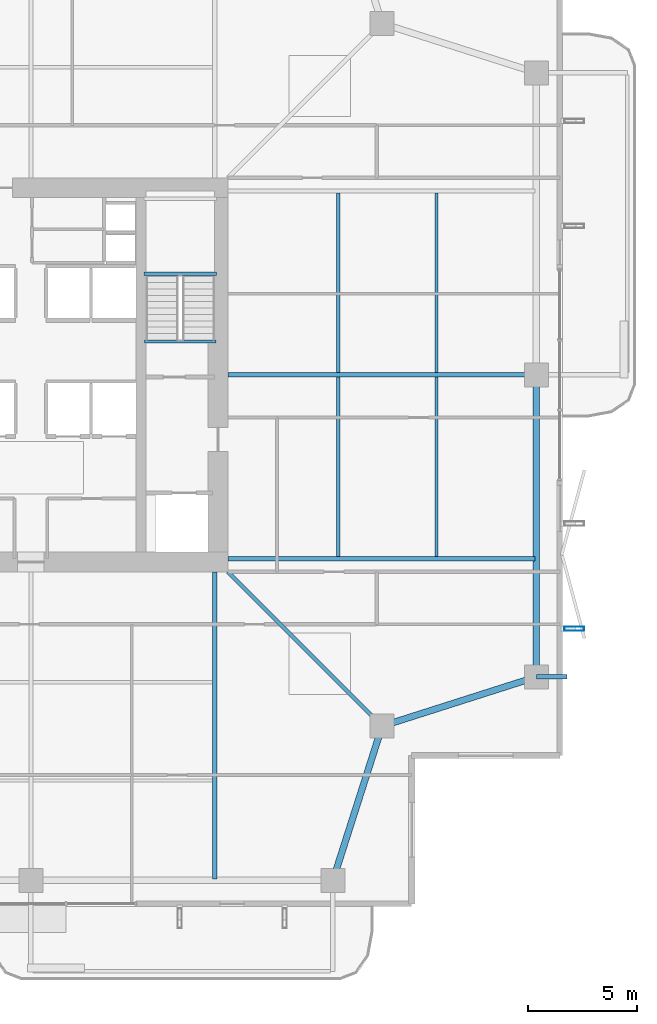
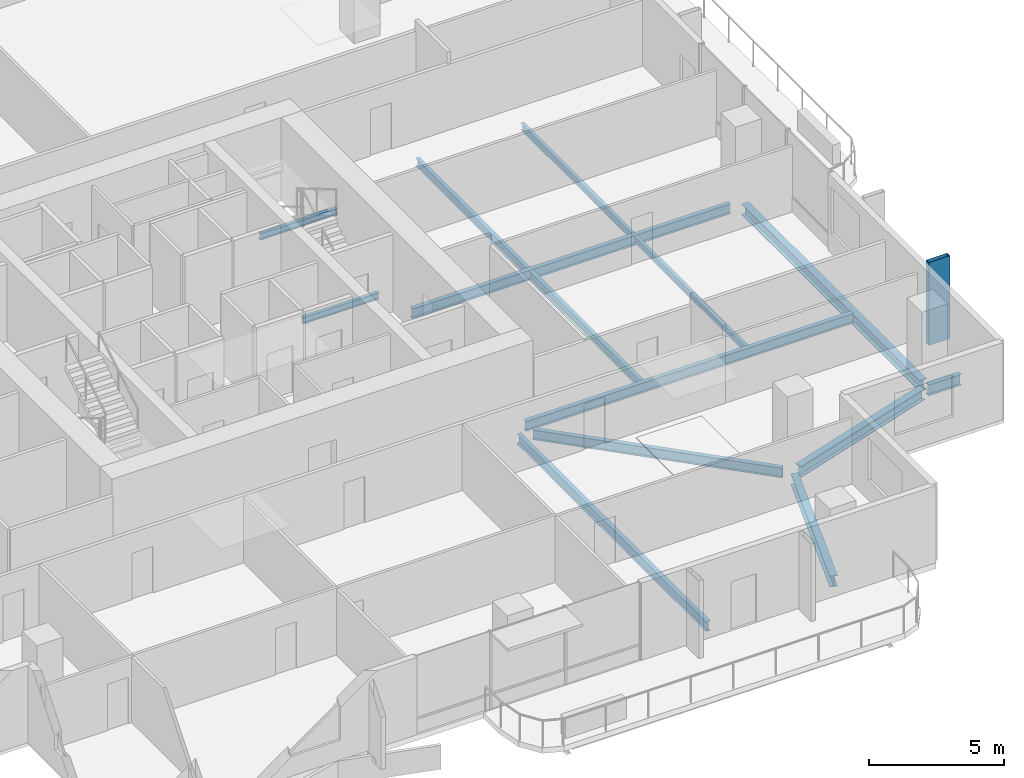
# One storey, part 9 of 25: 14 beams, 1 member.
"""IFC4 building model written with IfcOpenShell, lengths in metres."""

from ifc_helpers import new_model, si_unit, direction, frame, origin, origin_2d, place, context, subcontext, project, spatial, hollow_rectangle, i_section, extrude, material, material_profile, profile_set, type_object, element, save


model = new_model("IFC4")

# Units and contexts
model_context = context("Model", 3, precision=1e-05, world=origin(), true_north=direction((0.0, 1.0)))
body_context = subcontext(model_context, "Body", "Model", "MODEL_VIEW")
ifc_project = project(units=[si_unit("LENGTHUNIT", "METRE"), si_unit("AREAUNIT", "SQUARE_METRE"), si_unit("VOLUMEUNIT", "CUBIC_METRE"), si_unit("PLANEANGLEUNIT", "RADIAN"), si_unit("MASSUNIT", "GRAM", prefix="KILO")], contexts=[model_context])

# Site, building, storey
site_placement = place(None, origin())
site = spatial("IfcSite", under=ifc_project, at=site_placement, CompositionType="ELEMENT")
building_placement = place(site_placement, origin())
building = spatial("IfcBuilding", under=site, at=building_placement, Name="Belovzor Exchange Tower", CompositionType="ELEMENT")
storey_placement = place(building_placement, frame((0.0, 0.0, 187.050048828125)))
storey = spatial("IfcBuildingStorey", under=building, at=storey_placement, Name="L46", CompositionType="ELEMENT", Elevation=187.050048828125)

# Beams
ifc_material_1 = material(Name="Steel S355", Category="steel")
ifc_material_profile_1 = material_profile(ifc_material_1, i_section(OverallWidth=0.199951171875, OverallDepth=0.5, WebThickness=0.01025390625, FlangeThickness=0.01611328125, at=origin_2d()))
ifc_profile_set_1 = profile_set([ifc_material_profile_1], Name="Steel S355")
beam_type_1 = type_object("IfcBeamType", Name="Planted Balcony Cantilever Beam IPE 500", PredefinedType="BEAM", material=ifc_profile_set_1)
beam_1_placement = place(storey_placement, frame((51.89990234375, 15.0, -0.505126953125), z_axis=(1.0, 0.0, 0.0), x_axis=(0.0, 1.0, 0.0)))
element("IfcBeam", 1, at=beam_1_placement, inside=storey, type_object=beam_type_1, Name="BC-500 Planted Balcony Cantilever Beam IPE 500", PredefinedType="BEAM", context=body_context, shape_type="SweptSolid", body=[
    extrude(i_section(OverallWidth=0.199951171875, OverallDepth=0.5, WebThickness=0.01025390625, FlangeThickness=0.01611328125, at=origin_2d()), origin(), (0.0, 0.0, 1.0), 1.400146484375),
])
ifc_material_2 = material(Name="Steel S355", Category="steel")
ifc_material_profile_2 = material_profile(ifc_material_2, i_section(OverallWidth=0.169921875, OverallDepth=0.360107421875, WebThickness=0.008056640625, FlangeThickness=0.0126953125, at=origin_2d()))
ifc_profile_set_2 = profile_set([ifc_material_profile_2], Name="Steel S355")
beam_type_2 = type_object("IfcBeamType", Name="Secondary Infill Floor Joist IPE 360", PredefinedType="BEAM", material=ifc_profile_set_2)
for number, where, z_axis, x_axis, name in (
    (2, (42.84912109375, 20.4951171875, -0.43505859375), (0.0, 1.0, 0.0), (-1.0, 0.0, 0.0), "FJ-360 Secondary Infill Floor Joist IPE 360"),
    (3, (42.84912109375, 28.89501953125, -0.43505859375), (0.0, 1.0, 0.0), (-1.0, 0.0, 0.0), "FJ-360 Secondary Infill Floor Joist IPE 360"),
):
    element("IfcBeam", number, at=place(storey_placement, frame(where, z_axis=z_axis, x_axis=x_axis)), inside=storey, type_object=beam_type_2, Name=name, PredefinedType="BEAM", context=body_context, shape_type="SweptSolid", body=[
        extrude(i_section(OverallWidth=0.169921875, OverallDepth=0.360107421875, WebThickness=0.008056640625, FlangeThickness=0.0126953125, at=origin_2d()), origin(), (0.0, 0.0, 1.0), 8.2099609375),
    ])
ifc_material_3 = material(Name="Steel S355", Category="steel")
ifc_material_profile_3 = material_profile(ifc_material_3, i_section(OverallWidth=0.14990234375, OverallDepth=0.300048828125, WebThickness=0.007080078125, FlangeThickness=0.0107421875, at=origin_2d()))
ifc_profile_set_3 = profile_set([ifc_material_profile_3], Name="Steel S355")
beam_type_3 = type_object("IfcBeamType", Name="Secondary Trim Floor Joist IPE 300", PredefinedType="BEAM", material=ifc_profile_set_3)
beam_2_placement = place(storey_placement, frame((37.280029296875, 33.419921875, 1.52490234375), z_axis=(-1.0, 0.0, 0.0), x_axis=(0.0, -1.0, 0.0)))
element("IfcBeam", 4, at=beam_2_placement, inside=storey, type_object=beam_type_3, Name="FJ-300 Secondary Trim Floor Joist IPE 300", PredefinedType="BEAM", context=body_context, shape_type="SweptSolid", body=[
    extrude(i_section(OverallWidth=0.14990234375, OverallDepth=0.300048828125, WebThickness=0.007080078125, FlangeThickness=0.0107421875, at=origin_2d()), origin(), (0.0, 0.0, 1.0), 3.31005859375),
])
beam_3_placement = place(storey_placement, frame((37.260009765625, 30.320068359375, -0.405029296875), z_axis=(-1.0, 0.0, 0.0), x_axis=(0.0, -1.0, 0.0)))
element("IfcBeam", 5, at=beam_3_placement, inside=storey, type_object=beam_type_3, Name="FJ-300 Secondary Trim Floor Joist IPE 300", PredefinedType="BEAM", context=body_context, shape_type="SweptSolid", body=[
    extrude(i_section(OverallWidth=0.14990234375, OverallDepth=0.300048828125, WebThickness=0.007080078125, FlangeThickness=0.0107421875, at=origin_2d()), origin(), (0.0, 0.0, 1.0), 3.27001953125),
])
for number, where, z_axis, x_axis, name in (
    (6, (47.3369140625, 20.4951171875, -0.405029296875), (0.0, 1.0, 0.0), (-1.0, 0.0, 0.0), "FJ-300 Secondary Trim Floor Joist IPE 300"),
    (7, (47.3369140625, 28.89501953125, -0.405029296875), (0.0, 1.0, 0.0), (-1.0, 0.0, 0.0), "FJ-300 Secondary Trim Floor Joist IPE 300"),
):
    element("IfcBeam", number, at=place(storey_placement, frame(where, z_axis=z_axis, x_axis=x_axis)), inside=storey, type_object=beam_type_3, Name=name, PredefinedType="BEAM", context=body_context, shape_type="SweptSolid", body=[
        extrude(i_section(OverallWidth=0.14990234375, OverallDepth=0.300048828125, WebThickness=0.007080078125, FlangeThickness=0.0107421875, at=origin_2d()), origin(), (0.0, 0.0, 1.0), 8.2099609375),
    ])

# Member
ifc_material_4 = material(Name="Extruded Architectural Terracotta on Steel S355 Carrier", Category="masonry")
ifc_material_profile_4 = material_profile(ifc_material_4, hollow_rectangle(XDim=0.199951171875, YDim=0.89990234375, WallThickness=0.011962890625, at=origin_2d()))
ifc_profile_set_4 = profile_set([ifc_material_profile_4], Name="Extruded Architectural Terracotta on Steel S355 Carrier")
member_type = type_object("IfcMemberType", Name="Sweeping Terracotta Baguette Fin Assembly 1250", PredefinedType="USERDEFINED", material=ifc_profile_set_4)
member_placement = place(storey_placement, frame((53.625, 17.199951171875, -0.255126953125), z_axis=(0.0, 0.0, 1.0), x_axis=(0.0, 1.0, 0.0)))
element("IfcMember", 8, at=member_placement, inside=storey, type_object=member_type, Name="FIN-TC125 Terracotta Facade Fin L46 E1", ObjectType="FIN", PredefinedType="USERDEFINED", context=body_context, shape_type="SweptSolid", body=[
    extrude(hollow_rectangle(XDim=0.199951171875, YDim=0.89990234375, WallThickness=0.011962890625, at=origin_2d()), origin(), (0.0, 0.0, 1.0), 3.75),
])

# Beams
ifc_material_5 = material(Name="Steel S355", Category="steel")
ifc_material_profile_5 = material_profile(ifc_material_5, i_section(OverallWidth=0.18994140625, OverallDepth=0.449951171875, WebThickness=0.009521484375, FlangeThickness=0.0146484375, at=origin_2d()))
ifc_profile_set_5 = profile_set([ifc_material_profile_5], Name="Steel S355")
beam_type_4 = type_object("IfcBeamType", Name="Zone 2-4 Radial Composite Floor Beam IPE 450", PredefinedType="BEAM", material=ifc_profile_set_5)
beam_4_placement = place(storey_placement, frame((37.199951171875, 19.800048828125, -0.47998046875), z_axis=(0.0, -1.0, 0.0), x_axis=(1.0, 0.0, 0.0)))
element("IfcBeam", 9, at=beam_4_placement, inside=storey, type_object=beam_type_4, Name="FB-450 Zone 2-4 Radial Composite Floor Beam IPE 450", PredefinedType="BEAM", context=body_context, shape_type="SweptSolid", body=[
    extrude(i_section(OverallWidth=0.18994140625, OverallDepth=0.449951171875, WebThickness=0.009521484375, FlangeThickness=0.0146484375, at=origin_2d()), origin(), (0.0, 0.0, 1.0), 14.025146484375),
])
beam_5_placement = place(storey_placement, frame((37.800048828125, 20.39990234375, -0.47998046875), z_axis=(1.0, 0.0, 0.0), x_axis=(0.0, 1.0, 0.0)))
element("IfcBeam", 10, at=beam_5_placement, inside=storey, type_object=beam_type_4, Name="FB-450 Zone 2-4 Radial Composite Floor Beam IPE 450", PredefinedType="BEAM", context=body_context, shape_type="SweptSolid", body=[
    extrude(i_section(OverallWidth=0.18994140625, OverallDepth=0.449951171875, WebThickness=0.009521484375, FlangeThickness=0.0146484375, at=origin_2d()), origin(), (0.0, 0.0, 1.0), 14.02490234375),
])
beam_6_placement = place(storey_placement, frame((37.800048828125, 28.800048828125, -0.47998046875), z_axis=(1.0, 0.0, 0.0), x_axis=(0.0, 1.0, 0.0)))
element("IfcBeam", 11, at=beam_6_placement, inside=storey, type_object=beam_type_4, Name="FB-450 Zone 2-4 Radial Composite Floor Beam IPE 450", PredefinedType="BEAM", context=body_context, shape_type="SweptSolid", body=[
    extrude(i_section(OverallWidth=0.18994140625, OverallDepth=0.449951171875, WebThickness=0.009521484375, FlangeThickness=0.0146484375, at=origin_2d()), origin(), (0.0, 0.0, 1.0), 13.615966796875),
])
beam_7_placement = place(storey_placement, frame((37.800048828125, 19.800048828125, -0.47998046875), z_axis=(0.707094040639, -0.707119521505, 0.0), x_axis=(0.707119521505, 0.707094040639, 0.0)))
element("IfcBeam", 12, at=beam_7_placement, inside=storey, type_object=beam_type_4, Name="FB-450 Zone 2-4 Radial Composite Floor Beam IPE 450", PredefinedType="BEAM", context=body_context, shape_type="SweptSolid", body=[
    extrude(i_section(OverallWidth=0.18994140625, OverallDepth=0.449951171875, WebThickness=0.009521484375, FlangeThickness=0.0146484375, at=origin_2d()), origin(), (0.0, 0.0, 1.0), 9.581298828125),
])
ifc_material_6 = material(Name="Steel S355", Category="steel")
ifc_material_profile_6 = material_profile(ifc_material_6, i_section(OverallWidth=0.300048828125, OverallDepth=0.5, WebThickness=0.014404296875, FlangeThickness=0.028076171875, at=origin_2d()))
ifc_profile_set_6 = profile_set([ifc_material_profile_6], Name="Steel S355")
beam_type_5 = type_object("IfcBeamType", Name="Zone 3 Waist Primary Girder HEB 500", PredefinedType="BEAM", material=ifc_profile_set_6)
for number, where, z_axis, x_axis, name in (
    (13, (42.69189453125, 5.988037109375, -0.505126953125), (0.304044336164, 0.952657882792, 0.0), (-0.952657882792, 0.304044336164, 0.0), "FG-Z3 Zone 3 Waist Primary Girder HEB 500"),
    (14, (45.137939453125, 12.842041015625, -0.505126953125), (0.952671608699, 0.304001325621, 0.0), (-0.304001325621, 0.952671608699, 0.0), "FG-Z3 Zone 3 Waist Primary Girder HEB 500"),
):
    element("IfcBeam", number, at=place(storey_placement, frame(where, z_axis=z_axis, x_axis=x_axis)), inside=storey, type_object=beam_type_5, Name=name, PredefinedType="BEAM", context=body_context, shape_type="SweptSolid", body=[
        extrude(i_section(OverallWidth=0.300048828125, OverallDepth=0.5, WebThickness=0.014404296875, FlangeThickness=0.028076171875, at=origin_2d()), origin(), (0.0, 0.0, 1.0), 6.795654296875),
    ])
beam_8_placement = place(storey_placement, frame((51.89990234375, 15.302978515625, -0.505126953125), z_axis=(0.0, 1.0, 0.0), x_axis=(-1.0, 0.0, 0.0)))
element("IfcBeam", 15, at=beam_8_placement, inside=storey, type_object=beam_type_5, Name="FG-Z3 Zone 3 Waist Primary Girder HEB 500", PredefinedType="BEAM", context=body_context, shape_type="SweptSolid", body=[
    extrude(i_section(OverallWidth=0.300048828125, OverallDepth=0.5, WebThickness=0.014404296875, FlangeThickness=0.028076171875, at=origin_2d()), origin(), (0.0, 0.0, 1.0), 13.195068359375),
])

save(model, "model.ifc")
